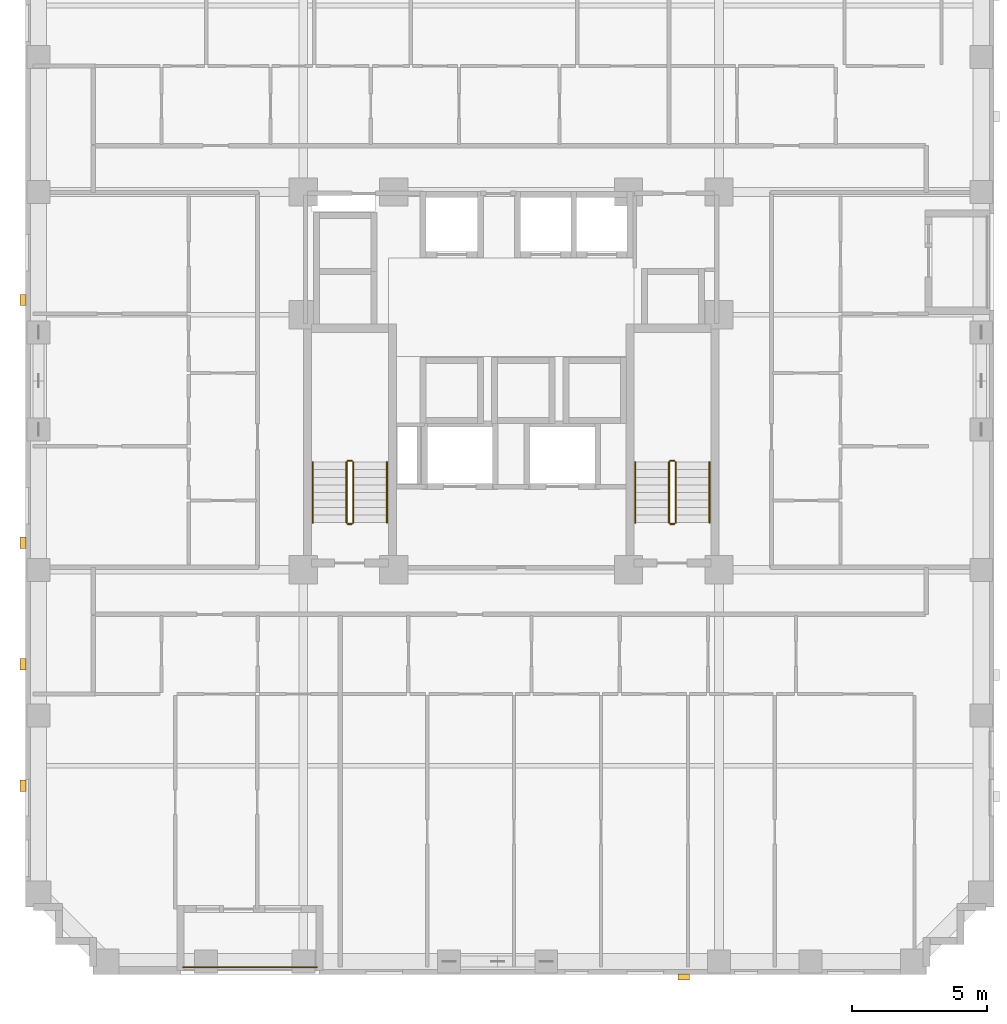
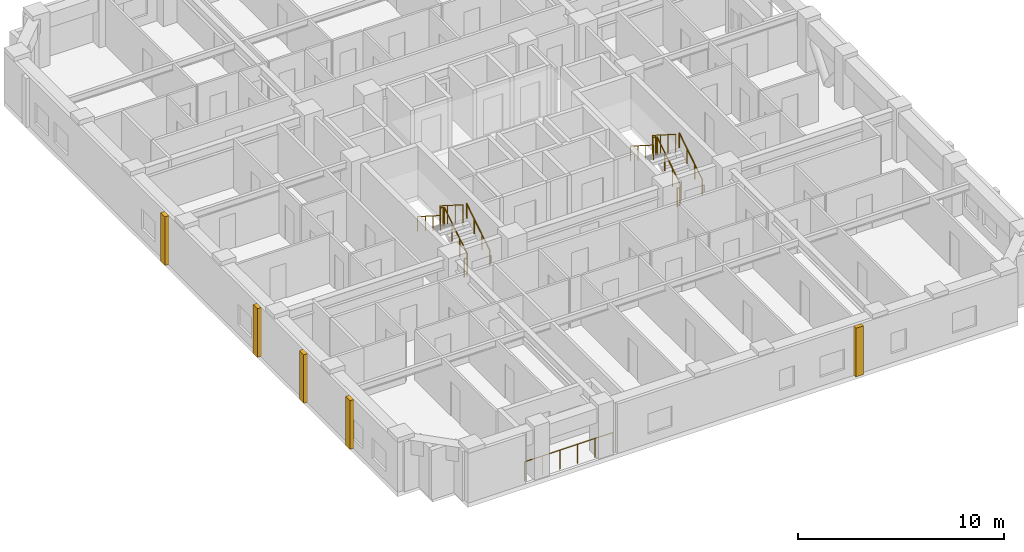
# One storey, part 11 of 12: 13 railings, 5 coverings.
"""IFC4 building model written with IfcOpenShell, lengths in metres."""

from ifc_helpers import new_model, si_unit, derived_unit, direction, frame, origin, origin_2d, place, context, subcontext, project, spatial, rectangle, circle, extrude, material, layer, layer_set, type_object, element, save


model = new_model("IFC4")

# Units and contexts
model_context = context("Model", 3, precision=1e-05, world=origin(), true_north=direction((0.0, 1.0)))
body_context = subcontext(model_context, "Body", "Model", "MODEL_VIEW")
ifc_project = project(units=[si_unit("LENGTHUNIT", "METRE"), si_unit("AREAUNIT", "SQUARE_METRE"), si_unit("VOLUMEUNIT", "CUBIC_METRE"), si_unit("PLANEANGLEUNIT", "RADIAN"), si_unit("MASSUNIT", "GRAM", prefix="KILO"), derived_unit("THERMALTRANSMITTANCEUNIT", [(si_unit("MASSUNIT", "GRAM", prefix="KILO"), 1), (si_unit("TIMEUNIT", "SECOND"), -3), (si_unit("THERMODYNAMICTEMPERATUREUNIT", "KELVIN"), -1)])], contexts=[model_context])

# Site, building, storey
site_placement = place(None, origin())
site = spatial("IfcSite", under=ifc_project, at=site_placement, CompositionType="ELEMENT")
building_placement = place(site_placement, origin())
building = spatial("IfcBuilding", under=site, at=building_placement, Name="Korrvale Station Residences", CompositionType="ELEMENT")
storey_placement = place(building_placement, frame((0.0, 0.0, 84.699951171875)))
storey = spatial("IfcBuildingStorey", under=building, at=storey_placement, Name="L23", CompositionType="ELEMENT", Elevation=84.699951171875)

# Coverings
ifc_material_1 = material(Name="Architectural precast concrete C45/55", Category="concrete")
ifc_layer = layer(ifc_material_1, 0.219970703125, Name="Architectural precast concrete C45/55")
ifc_layer_set = layer_set([ifc_layer], Name="Architectural precast concrete C45/55")
covering_type = type_object("IfcCoveringType", Name="COV-PIER-400", PredefinedType="CLADDING", material=ifc_layer_set)
for number, where, z_axis, x_axis, name in (
    (1, (31.89990234375, -0.090087890625, 0.02490234375), (0.0, 0.0, 1.0), (1.0, 0.0, 0.0), "L23 Architectural Precast Facade Pier 01"),
    (2, (7.409912109375, 7.0, 0.02490234375), (0.0, 0.0, 1.0), (0.0, 1.0, 0.0), "L23 Architectural Precast Facade Pier 04"),
    (3, (7.409912109375, 11.5, 0.02490234375), (0.0, 0.0, 1.0), (0.0, 1.0, 0.0), "L23 Architectural Precast Facade Pier 05"),
    (4, (7.409912109375, 16.0, 0.02490234375), (0.0, 0.0, 1.0), (0.0, 1.0, 0.0), "L23 Architectural Precast Facade Pier 06"),
    (5, (7.409912109375, 25.0, 0.02490234375), (0.0, 0.0, 1.0), (0.0, 1.0, 0.0), "L23 Architectural Precast Facade Pier 07"),
):
    element("IfcCovering", number, at=place(storey_placement, frame(where, z_axis=z_axis, x_axis=x_axis)), inside=storey, type_object=covering_type, Name=name, PredefinedType="CLADDING", context=body_context, shape_type="SweptSolid", body=[
        extrude(rectangle(XDim=0.419921875, YDim=0.219970703125, at=origin_2d()), origin(), (0.0, 0.0, 1.0), 2.889892578125),
    ])

# Railings
ifc_material_2 = material(Name="Powder-coated aluminium picket loggia guard", Category="aluminium")
railing_type_1 = type_object("IfcRailingType", Name="RLG-BAL-1150", PredefinedType="GUARDRAIL", material=ifc_material_2)
railing_1_placement = place(storey_placement, frame((13.35009765625, 0.27001953125, 0.0)))
element("IfcRailing", 6, at=railing_1_placement, inside=storey, type_object=railing_type_1, Name="L23 Recessed Loggia Guardrail BAL-L23-S1", PredefinedType="GUARDRAIL", context=body_context, shape_type="SweptSolid", body=[
    extrude(circle(Radius=0.02392578125, at=origin_2d()), frame((0.0, 0.0, 1.1259765625), z_axis=(1.0, 0.0, 0.0), x_axis=(0.0, 1.0, 0.0)), (0.0, 0.0, 1.0), 4.949951171875),
    extrude(circle(Radius=0.02099609375, at=origin_2d()), origin(), (0.0, 0.0, 1.0), 1.101806640625),
    extrude(circle(Radius=0.02099609375, at=origin_2d()), frame((0.989990234375, 0.0, 0.0)), (0.0, 0.0, 1.0), 1.101806640625),
    extrude(circle(Radius=0.02099609375, at=origin_2d()), frame((1.97998046875, 0.0, 0.0)), (0.0, 0.0, 1.0), 1.101806640625),
    extrude(circle(Radius=0.02099609375, at=origin_2d()), frame((2.969970703125, 0.0, 0.0)), (0.0, 0.0, 1.0), 1.101806640625),
    extrude(circle(Radius=0.02099609375, at=origin_2d()), frame((3.9599609375, 0.0, 0.0)), (0.0, 0.0, 1.0), 1.101806640625),
    extrude(circle(Radius=0.02099609375, at=origin_2d()), frame((4.949951171875, 0.0, 0.0)), (0.0, 0.0, 1.0), 1.101806640625),
])
ifc_material_3 = material(Name="Brushed stainless-steel continuous stair handrail", Category="steel")
railing_type_2 = type_object("IfcRailingType", Name="RLG-SHND-900", PredefinedType="HANDRAIL", material=ifc_material_3)
railing_2_placement = place(storey_placement, frame((20.89990234375, 16.75, 0.177734375)))
element("IfcRailing", 7, at=railing_2_placement, inside=storey, type_object=railing_type_2, Name="L23 ST-1 stair handrail 1", PredefinedType="HANDRAIL", context=body_context, shape_type="SweptSolid", body=[
    extrude(circle(Radius=0.02392578125, at=origin_2d()), frame((0.0, 0.0, 0.8759765625), z_axis=(0.0, 0.84418770128, 0.536047689118), x_axis=(-1.0, 0.0, 0.0)), (0.0, 0.0, 1.0), 2.6533203125),
    extrude(circle(Radius=0.02099609375, at=origin_2d()), origin(), (0.0, 0.0, 1.0), 0.851806640625),
    extrude(circle(Radius=0.02099609375, at=origin_2d()), frame((0.0, 0.74658203125, 0.47412109375)), (0.0, 0.0, 1.0), 0.851806640625),
    extrude(circle(Radius=0.02099609375, at=origin_2d()), frame((0.0, 1.493408203125, 0.9482421875)), (0.0, 0.0, 1.0), 0.851806640625),
    extrude(circle(Radius=0.02099609375, at=origin_2d()), frame((0.0, 2.239990234375, 1.42236328125)), (0.0, 0.0, 1.0), 0.851806640625),
])
railing_3_placement = place(storey_placement, frame((18.14990234375, 18.989990234375, 1.77783203125)))
element("IfcRailing", 8, at=railing_3_placement, inside=storey, type_object=railing_type_2, Name="L23 ST-1 stair handrail 2", PredefinedType="HANDRAIL", context=body_context, shape_type="SweptSolid", body=[
    extrude(circle(Radius=0.02392578125, at=origin_2d()), frame((0.0, 0.0, 0.8759765625), z_axis=(0.0, -0.8442293374, 0.53598211339), x_axis=(1.0, 0.0, 0.0)), (0.0, 0.0, 1.0), 2.6533203125),
    extrude(circle(Radius=0.02099609375, at=origin_2d()), origin(), (0.0, 0.0, 1.0), 0.851806640625),
    extrude(circle(Radius=0.02099609375, at=origin_2d()), frame((0.0, -0.74658203125, 0.47412109375)), (0.0, 0.0, 1.0), 0.851806640625),
    extrude(circle(Radius=0.02099609375, at=origin_2d()), frame((0.0, -1.493408203125, 0.947998046875)), (0.0, 0.0, 1.0), 0.851806640625),
    extrude(circle(Radius=0.02099609375, at=origin_2d()), frame((0.0, -2.239990234375, 1.422119140625)), (0.0, 0.0, 1.0), 0.851806640625),
])
railing_4_placement = place(storey_placement, frame((32.85009765625, 16.75, 0.177734375)))
element("IfcRailing", 9, at=railing_4_placement, inside=storey, type_object=railing_type_2, Name="L23 ST-2 stair handrail 1", PredefinedType="HANDRAIL", context=body_context, shape_type="SweptSolid", body=[
    extrude(circle(Radius=0.02392578125, at=origin_2d()), frame((0.0, 0.0, 0.8759765625), z_axis=(0.0, 0.84418770128, 0.536047689118), x_axis=(-1.0, 0.0, 0.0)), (0.0, 0.0, 1.0), 2.6533203125),
    extrude(circle(Radius=0.02099609375, at=origin_2d()), origin(), (0.0, 0.0, 1.0), 0.851806640625),
    extrude(circle(Radius=0.02099609375, at=origin_2d()), frame((0.0, 0.74658203125, 0.47412109375)), (0.0, 0.0, 1.0), 0.851806640625),
    extrude(circle(Radius=0.02099609375, at=origin_2d()), frame((0.0, 1.493408203125, 0.9482421875)), (0.0, 0.0, 1.0), 0.851806640625),
    extrude(circle(Radius=0.02099609375, at=origin_2d()), frame((0.0, 2.239990234375, 1.42236328125)), (0.0, 0.0, 1.0), 0.851806640625),
])
railing_5_placement = place(storey_placement, frame((30.10009765625, 18.989990234375, 1.77783203125)))
element("IfcRailing", 10, at=railing_5_placement, inside=storey, type_object=railing_type_2, Name="L23 ST-2 stair handrail 2", PredefinedType="HANDRAIL", context=body_context, shape_type="SweptSolid", body=[
    extrude(circle(Radius=0.02392578125, at=origin_2d()), frame((0.0, 0.0, 0.8759765625), z_axis=(0.0, -0.8442293374, 0.53598211339), x_axis=(1.0, 0.0, 0.0)), (0.0, 0.0, 1.0), 2.6533203125),
    extrude(circle(Radius=0.02099609375, at=origin_2d()), origin(), (0.0, 0.0, 1.0), 0.851806640625),
    extrude(circle(Radius=0.02099609375, at=origin_2d()), frame((0.0, -0.74658203125, 0.47412109375)), (0.0, 0.0, 1.0), 0.851806640625),
    extrude(circle(Radius=0.02099609375, at=origin_2d()), frame((0.0, -1.493408203125, 0.947998046875)), (0.0, 0.0, 1.0), 0.851806640625),
    extrude(circle(Radius=0.02099609375, at=origin_2d()), frame((0.0, -2.239990234375, 1.422119140625)), (0.0, 0.0, 1.0), 0.851806640625),
])
ifc_material_4 = material(Name="Galvanised painted tubular steel stair guard", Category="steel")
railing_type_3 = type_object("IfcRailingType", Name="RLG-STR-1100", PredefinedType="GUARDRAIL", material=ifc_material_4)
railing_6_placement = place(storey_placement, frame((19.64990234375, 16.75, 0.177734375)))
element("IfcRailing", 11, at=railing_6_placement, inside=storey, type_object=railing_type_3, Name="L23 ST-1 stair guard 1", PredefinedType="GUARDRAIL", context=body_context, shape_type="SweptSolid", body=[
    extrude(circle(Radius=0.02392578125, at=origin_2d()), frame((0.0, 0.0, 1.076171875), z_axis=(0.0, 0.84418770128, 0.536047689118), x_axis=(-1.0, 0.0, 0.0)), (0.0, 0.0, 1.0), 2.6533203125),
    extrude(circle(Radius=0.02099609375, at=origin_2d()), origin(), (0.0, 0.0, 1.0), 1.052001953125),
    extrude(circle(Radius=0.02099609375, at=origin_2d()), frame((0.0, 0.74658203125, 0.47412109375)), (0.0, 0.0, 1.0), 1.052001953125),
    extrude(circle(Radius=0.02099609375, at=origin_2d()), frame((0.0, 1.493408203125, 0.9482421875)), (0.0, 0.0, 1.0), 1.052001953125),
    extrude(circle(Radius=0.02099609375, at=origin_2d()), frame((0.0, 2.239990234375, 1.42236328125)), (0.0, 0.0, 1.0), 1.052001953125),
])
railing_7_placement = place(storey_placement, frame((19.60009765625, 19.0400390625, 1.60009765625)))
element("IfcRailing", 12, at=railing_7_placement, inside=storey, type_object=railing_type_3, Name="L23 ST-1 stair guard 2", PredefinedType="GUARDRAIL", context=body_context, shape_type="SweptSolid", body=[
    extrude(circle(Radius=0.02392578125, at=origin_2d()), frame((0.0, 0.0, 1.076171875), z_axis=(-1.0, 0.0, 0.0), x_axis=(0.0, -1.0, 0.0)), (0.0, 0.0, 1.0), 0.150146484375),
    extrude(circle(Radius=0.02099609375, at=origin_2d()), origin(), (0.0, 0.0, 1.0), 1.052001953125),
    extrude(circle(Radius=0.02099609375, at=origin_2d()), frame((-0.150146484375, 0.0, 0.0)), (0.0, 0.0, 1.0), 1.052001953125),
])
railing_8_placement = place(storey_placement, frame((19.39990234375, 18.989990234375, 1.77783203125)))
element("IfcRailing", 13, at=railing_8_placement, inside=storey, type_object=railing_type_3, Name="L23 ST-1 stair guard 3", PredefinedType="GUARDRAIL", context=body_context, shape_type="SweptSolid", body=[
    extrude(circle(Radius=0.02392578125, at=origin_2d()), frame((0.0, 0.0, 1.076171875), z_axis=(0.0, -0.8442293374, 0.53598211339), x_axis=(1.0, 0.0, 0.0)), (0.0, 0.0, 1.0), 2.6533203125),
    extrude(circle(Radius=0.02099609375, at=origin_2d()), origin(), (0.0, 0.0, 1.0), 1.052001953125),
    extrude(circle(Radius=0.02099609375, at=origin_2d()), frame((0.0, -0.74658203125, 0.47412109375)), (0.0, 0.0, 1.0), 1.052001953125),
    extrude(circle(Radius=0.02099609375, at=origin_2d()), frame((0.0, -1.493408203125, 0.947998046875)), (0.0, 0.0, 1.0), 1.052001953125),
    extrude(circle(Radius=0.02099609375, at=origin_2d()), frame((0.0, -2.239990234375, 1.422119140625)), (0.0, 0.0, 1.0), 1.052001953125),
])
railing_9_placement = place(storey_placement, frame((19.60009765625, 16.699951171875, 0.0)))
element("IfcRailing", 14, at=railing_9_placement, inside=storey, type_object=railing_type_3, Name="L23 ST-1 stair guard 4", PredefinedType="GUARDRAIL", context=body_context, shape_type="SweptSolid", body=[
    extrude(circle(Radius=0.02392578125, at=origin_2d()), frame((0.0, 0.0, 1.076171875), z_axis=(-1.0, 0.0, 0.0), x_axis=(0.0, -1.0, 0.0)), (0.0, 0.0, 1.0), 0.150146484375),
    extrude(circle(Radius=0.02099609375, at=origin_2d()), origin(), (0.0, 0.0, 1.0), 1.052001953125),
    extrude(circle(Radius=0.02099609375, at=origin_2d()), frame((-0.150146484375, 0.0, 0.0)), (0.0, 0.0, 1.0), 1.052001953125),
])
railing_10_placement = place(storey_placement, frame((31.60009765625, 16.75, 0.177734375)))
element("IfcRailing", 15, at=railing_10_placement, inside=storey, type_object=railing_type_3, Name="L23 ST-2 stair guard 1", PredefinedType="GUARDRAIL", context=body_context, shape_type="SweptSolid", body=[
    extrude(circle(Radius=0.02392578125, at=origin_2d()), frame((0.0, 0.0, 1.076171875), z_axis=(0.0, 0.84418770128, 0.536047689118), x_axis=(-1.0, 0.0, 0.0)), (0.0, 0.0, 1.0), 2.6533203125),
    extrude(circle(Radius=0.02099609375, at=origin_2d()), origin(), (0.0, 0.0, 1.0), 1.052001953125),
    extrude(circle(Radius=0.02099609375, at=origin_2d()), frame((0.0, 0.74658203125, 0.47412109375)), (0.0, 0.0, 1.0), 1.052001953125),
    extrude(circle(Radius=0.02099609375, at=origin_2d()), frame((0.0, 1.493408203125, 0.9482421875)), (0.0, 0.0, 1.0), 1.052001953125),
    extrude(circle(Radius=0.02099609375, at=origin_2d()), frame((0.0, 2.239990234375, 1.42236328125)), (0.0, 0.0, 1.0), 1.052001953125),
])
railing_11_placement = place(storey_placement, frame((31.550048828125, 19.0400390625, 1.60009765625)))
element("IfcRailing", 16, at=railing_11_placement, inside=storey, type_object=railing_type_3, Name="L23 ST-2 stair guard 2", PredefinedType="GUARDRAIL", context=body_context, shape_type="SweptSolid", body=[
    extrude(circle(Radius=0.02392578125, at=origin_2d()), frame((0.0, 0.0, 1.076171875), z_axis=(-1.0, 0.0, 0.0), x_axis=(0.0, -1.0, 0.0)), (0.0, 0.0, 1.0), 0.150146484375),
    extrude(circle(Radius=0.02099609375, at=origin_2d()), origin(), (0.0, 0.0, 1.0), 1.052001953125),
    extrude(circle(Radius=0.02099609375, at=origin_2d()), frame((-0.150146484375, 0.0, 0.0)), (0.0, 0.0, 1.0), 1.052001953125),
])
railing_12_placement = place(storey_placement, frame((31.35009765625, 18.989990234375, 1.77783203125)))
element("IfcRailing", 17, at=railing_12_placement, inside=storey, type_object=railing_type_3, Name="L23 ST-2 stair guard 3", PredefinedType="GUARDRAIL", context=body_context, shape_type="SweptSolid", body=[
    extrude(circle(Radius=0.02392578125, at=origin_2d()), frame((0.0, 0.0, 1.076171875), z_axis=(0.0, -0.8442293374, 0.53598211339), x_axis=(1.0, 0.0, 0.0)), (0.0, 0.0, 1.0), 2.6533203125),
    extrude(circle(Radius=0.02099609375, at=origin_2d()), origin(), (0.0, 0.0, 1.0), 1.052001953125),
    extrude(circle(Radius=0.02099609375, at=origin_2d()), frame((0.0, -0.74658203125, 0.47412109375)), (0.0, 0.0, 1.0), 1.052001953125),
    extrude(circle(Radius=0.02099609375, at=origin_2d()), frame((0.0, -1.493408203125, 0.947998046875)), (0.0, 0.0, 1.0), 1.052001953125),
    extrude(circle(Radius=0.02099609375, at=origin_2d()), frame((0.0, -2.239990234375, 1.422119140625)), (0.0, 0.0, 1.0), 1.052001953125),
])
railing_13_placement = place(storey_placement, frame((31.550048828125, 16.699951171875, 0.0)))
element("IfcRailing", 18, at=railing_13_placement, inside=storey, type_object=railing_type_3, Name="L23 ST-2 stair guard 4", PredefinedType="GUARDRAIL", context=body_context, shape_type="SweptSolid", body=[
    extrude(circle(Radius=0.02392578125, at=origin_2d()), frame((0.0, 0.0, 1.076171875), z_axis=(-1.0, 0.0, 0.0), x_axis=(0.0, -1.0, 0.0)), (0.0, 0.0, 1.0), 0.150146484375),
    extrude(circle(Radius=0.02099609375, at=origin_2d()), origin(), (0.0, 0.0, 1.0), 1.052001953125),
    extrude(circle(Radius=0.02099609375, at=origin_2d()), frame((-0.150146484375, 0.0, 0.0)), (0.0, 0.0, 1.0), 1.052001953125),
])

save(model, "model.ifc")
